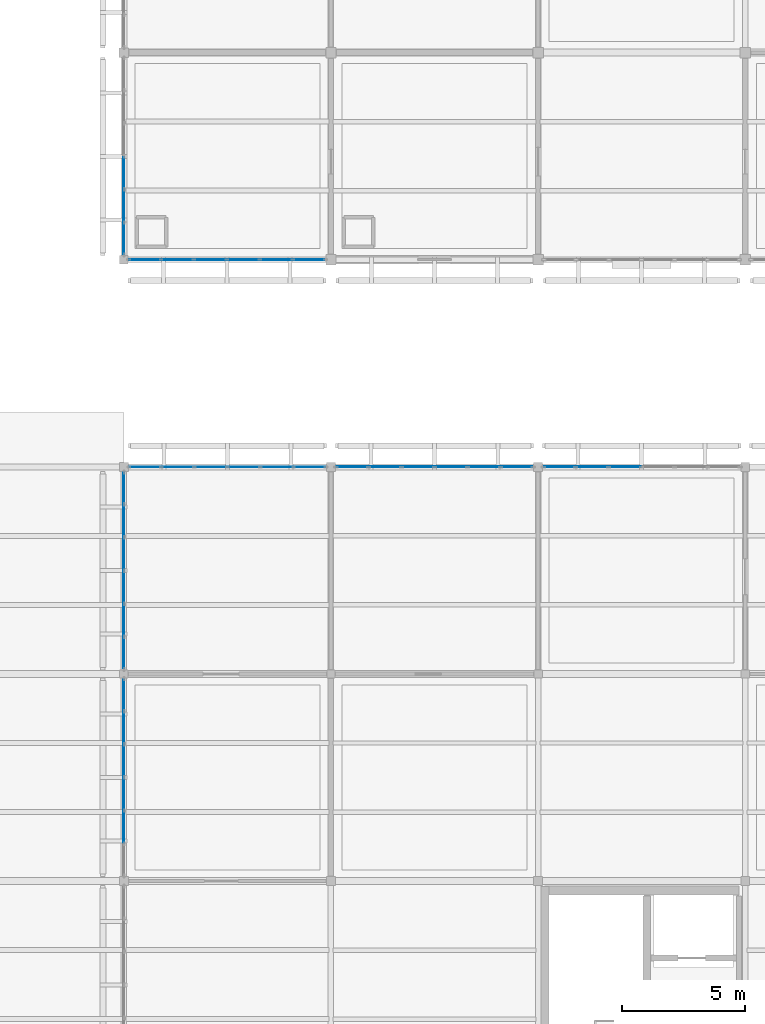
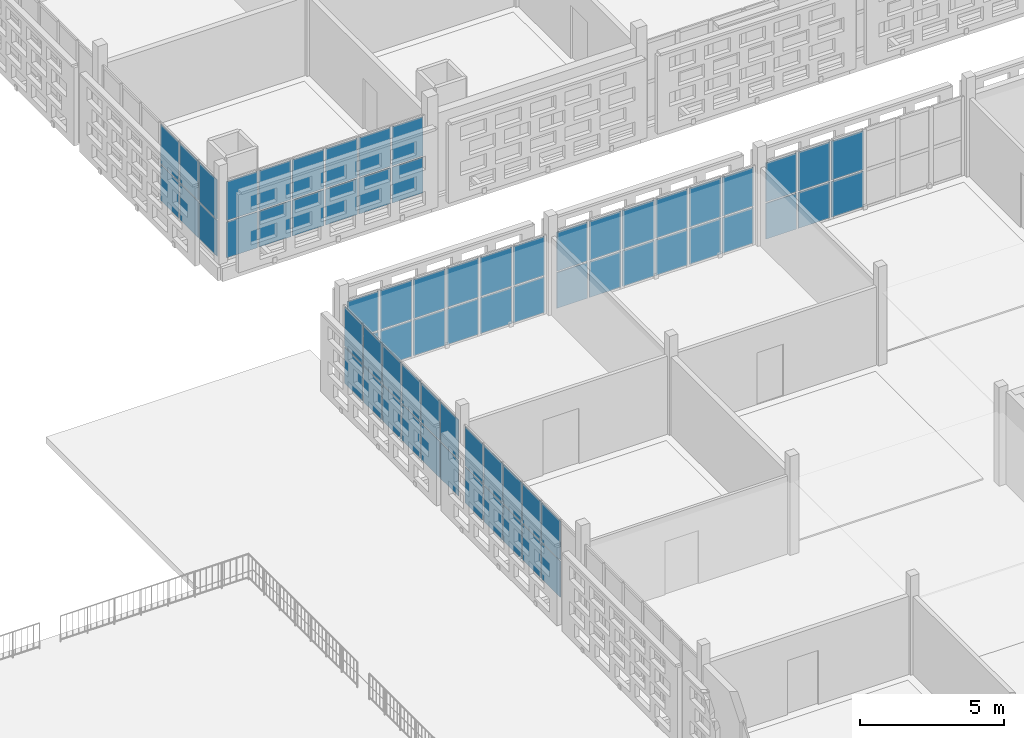
# One storey, part 90 of 166: 70 plates, 7 elements without a shape of their own.
"""IFC4 building model written with IfcOpenShell, lengths in metres."""

from ifc_helpers import new_model, si_unit, direction, frame, origin, origin_2d, place, context, subcontext, project, spatial, rectangle, extrude, material, layer, layer_set, type_object, element, aggregate, save


model = new_model("IFC4")

# Units and contexts
model_context = context("Model", 3, precision=1e-05, world=origin(), true_north=direction((0.0, 1.0)))
body_context = subcontext(model_context, "Body", "Model", "MODEL_VIEW")
ifc_project = project(units=[si_unit("LENGTHUNIT", "METRE"), si_unit("AREAUNIT", "SQUARE_METRE"), si_unit("VOLUMEUNIT", "CUBIC_METRE"), si_unit("PLANEANGLEUNIT", "RADIAN"), si_unit("MASSUNIT", "GRAM", prefix="KILO")], contexts=[model_context])

# Site, building, storey
site_placement = place(None, origin())
site = spatial("IfcSite", under=ifc_project, at=site_placement, CompositionType="ELEMENT")
building_placement = place(site_placement, origin())
building = spatial("IfcBuilding", under=site, at=building_placement, Name="Varnapada Polytechnic", CompositionType="ELEMENT")
storey_placement = place(building_placement, frame((0.0, 0.0, 9.60009765625)))
storey = spatial("IfcBuildingStorey", under=building, at=storey_placement, Name="L02", CompositionType="ELEMENT", Elevation=9.60009765625)

# Curtain wall, plates
ifc_material = material(Name="Double low-E laminated glass", Category="glass")
ifc_layer_1 = layer(ifc_material, 0.159912109375)
ifc_layer_set_1 = layer_set([ifc_layer_1], Name="Double low-E laminated glass")
curtain_wall_type_1 = type_object("IfcCurtainWallType", Name="Curtain Wall CW-01", PredefinedType="NOTDEFINED", material=ifc_layer_set_1)
curtain_wall_1_placement = place(storey_placement, origin())
curtain_wall_1 = element("IfcCurtainWall", 1, at=curtain_wall_1_placement, inside=storey, type_object=curtain_wall_type_1, Name="L02 unitised curtain wall CW-01 (185)", PredefinedType="NOTDEFINED")
ifc_layer_2 = layer(ifc_material, 0.028076171875)
ifc_layer_set_2 = layer_set([ifc_layer_2], Name="Double low-E laminated glass")
plate_type_1 = type_object("IfcPlateType", Name="Curtain Panel PNL-01", PredefinedType="CURTAIN_PANEL", material=ifc_layer_set_2)
plate_1_placement = place(storey_placement, frame((134.39990234375, 35.79248046875, 0.06005859375), z_axis=(0.0, 0.0, 1.0), x_axis=(0.0, 1.0, 0.0)))
plate_1 = element("IfcPlate", 2, at=plate_1_placement, type_object=plate_type_1, Name="CW-01 panel 2.1", PredefinedType="CURTAIN_PANEL", context=body_context, shape_type="SweptSolid", body=[
    extrude(rectangle(XDim=1.28173828125, YDim=0.028076171875, at=origin_2d()), origin(), (0.0, 0.0, 1.0), 1.522705078125),
])
plate_2_placement = place(storey_placement, frame((134.39990234375, 35.79248046875, 1.642578125), z_axis=(0.0, 0.0, 1.0), x_axis=(0.0, 1.0, 0.0)))
plate_2 = element("IfcPlate", 3, at=plate_2_placement, type_object=plate_type_1, Name="CW-01 panel 2.2", PredefinedType="CURTAIN_PANEL", context=body_context, shape_type="SweptSolid", body=[
    extrude(rectangle(XDim=1.28173828125, YDim=0.028076171875, at=origin_2d()), origin(), (0.0, 0.0, 1.0), 1.6572265625),
])
plate_3_placement = place(storey_placement, frame((134.39990234375, 37.13427734375, 0.06005859375), z_axis=(0.0, 0.0, 1.0), x_axis=(0.0, 1.0, 0.0)))
plate_3 = element("IfcPlate", 4, at=plate_3_placement, type_object=plate_type_1, Name="CW-01 panel 3.1", PredefinedType="CURTAIN_PANEL", context=body_context, shape_type="SweptSolid", body=[
    extrude(rectangle(XDim=1.28173828125, YDim=0.028076171875, at=origin_2d()), origin(), (0.0, 0.0, 1.0), 1.522705078125),
])
plate_4_placement = place(storey_placement, frame((134.39990234375, 37.13427734375, 1.642578125), z_axis=(0.0, 0.0, 1.0), x_axis=(0.0, 1.0, 0.0)))
plate_4 = element("IfcPlate", 5, at=plate_4_placement, type_object=plate_type_1, Name="CW-01 panel 3.2", PredefinedType="CURTAIN_PANEL", context=body_context, shape_type="SweptSolid", body=[
    extrude(rectangle(XDim=1.28173828125, YDim=0.028076171875, at=origin_2d()), origin(), (0.0, 0.0, 1.0), 1.6572265625),
])
plate_5_placement = place(storey_placement, frame((134.39990234375, 38.475830078125, 0.06005859375), z_axis=(0.0, 0.0, 1.0), x_axis=(0.0, 1.0, 0.0)))
plate_5 = element("IfcPlate", 6, at=plate_5_placement, type_object=plate_type_1, Name="CW-01 panel 4.1", PredefinedType="CURTAIN_PANEL", context=body_context, shape_type="SweptSolid", body=[
    extrude(rectangle(XDim=1.28173828125, YDim=0.028076171875, at=origin_2d()), origin(), (0.0, 0.0, 1.0), 1.522705078125),
])
plate_6_placement = place(storey_placement, frame((134.39990234375, 38.475830078125, 1.642578125), z_axis=(0.0, 0.0, 1.0), x_axis=(0.0, 1.0, 0.0)))
plate_6 = element("IfcPlate", 7, at=plate_6_placement, type_object=plate_type_1, Name="CW-01 panel 4.2", PredefinedType="CURTAIN_PANEL", context=body_context, shape_type="SweptSolid", body=[
    extrude(rectangle(XDim=1.28173828125, YDim=0.028076171875, at=origin_2d()), origin(), (0.0, 0.0, 1.0), 1.6572265625),
])
plate_7_placement = place(storey_placement, frame((134.39990234375, 39.8173828125, 0.06005859375), z_axis=(0.0, 0.0, 1.0), x_axis=(0.0, 1.0, 0.0)))
plate_7 = element("IfcPlate", 8, at=plate_7_placement, type_object=plate_type_1, Name="CW-01 panel 5.1", PredefinedType="CURTAIN_PANEL", context=body_context, shape_type="SweptSolid", body=[
    extrude(rectangle(XDim=1.28173828125, YDim=0.028076171875, at=origin_2d()), origin(), (0.0, 0.0, 1.0), 1.522705078125),
])
plate_8_placement = place(storey_placement, frame((134.39990234375, 39.8173828125, 1.642578125), z_axis=(0.0, 0.0, 1.0), x_axis=(0.0, 1.0, 0.0)))
plate_8 = element("IfcPlate", 9, at=plate_8_placement, type_object=plate_type_1, Name="CW-01 panel 5.2", PredefinedType="CURTAIN_PANEL", context=body_context, shape_type="SweptSolid", body=[
    extrude(rectangle(XDim=1.28173828125, YDim=0.028076171875, at=origin_2d()), origin(), (0.0, 0.0, 1.0), 1.6572265625),
])
plate_9_placement = place(storey_placement, frame((134.39990234375, 41.144287109375, 0.06005859375), z_axis=(0.0, 0.0, 1.0), x_axis=(0.0, 1.0, 0.0)))
plate_9 = element("IfcPlate", 10, at=plate_9_placement, type_object=plate_type_1, Name="CW-01 panel 6.1", PredefinedType="CURTAIN_PANEL", context=body_context, shape_type="SweptSolid", body=[
    extrude(rectangle(XDim=1.251708984375, YDim=0.028076171875, at=origin_2d()), origin(), (0.0, 0.0, 1.0), 1.522705078125),
])
plate_10_placement = place(storey_placement, frame((134.39990234375, 41.144287109375, 1.642578125), z_axis=(0.0, 0.0, 1.0), x_axis=(0.0, 1.0, 0.0)))
plate_10 = element("IfcPlate", 11, at=plate_10_placement, type_object=plate_type_1, Name="CW-01 panel 6.2", PredefinedType="CURTAIN_PANEL", context=body_context, shape_type="SweptSolid", body=[
    extrude(rectangle(XDim=1.251708984375, YDim=0.028076171875, at=origin_2d()), origin(), (0.0, 0.0, 1.0), 1.6572265625),
])
aggregate(curtain_wall_1, [plate_1, plate_2, plate_3, plate_4, plate_5, plate_6, plate_7, plate_8, plate_9, plate_10])

curtain_wall_2_placement = place(storey_placement, origin())
curtain_wall_2 = element("IfcCurtainWall", 12, at=curtain_wall_2_placement, inside=storey, type_object=curtain_wall_type_1, Name="L02 unitised curtain wall CW-01 (186)", PredefinedType="NOTDEFINED")
plate_11_placement = place(storey_placement, frame((135.264892578125, 50.39990234375, 0.06005859375), z_axis=(0.0, 0.0, 1.0), x_axis=(1.0, 0.0, 0.0)))
plate_11 = element("IfcPlate", 13, at=plate_11_placement, type_object=plate_type_1, Name="CW-01 panel 1.1", PredefinedType="CURTAIN_PANEL", context=body_context, shape_type="SweptSolid", body=[
    extrude(rectangle(XDim=1.25, YDim=0.028076171875, at=origin_2d()), origin(), (0.0, 0.0, 1.0), 1.522705078125),
])
plate_12_placement = place(storey_placement, frame((135.264892578125, 50.39990234375, 1.642578125), z_axis=(0.0, 0.0, 1.0), x_axis=(1.0, 0.0, 0.0)))
plate_12 = element("IfcPlate", 14, at=plate_12_placement, type_object=plate_type_1, Name="CW-01 panel 1.2", PredefinedType="CURTAIN_PANEL", context=body_context, shape_type="SweptSolid", body=[
    extrude(rectangle(XDim=1.25, YDim=0.028076171875, at=origin_2d()), origin(), (0.0, 0.0, 1.0), 1.6572265625),
])
plate_13_placement = place(storey_placement, frame((136.590087890625, 50.39990234375, 0.06005859375), z_axis=(0.0, 0.0, 1.0), x_axis=(1.0, 0.0, 0.0)))
plate_13 = element("IfcPlate", 15, at=plate_13_placement, type_object=plate_type_1, Name="CW-01 panel 2.1", PredefinedType="CURTAIN_PANEL", context=body_context, shape_type="SweptSolid", body=[
    extrude(rectangle(XDim=1.280029296875, YDim=0.028076171875, at=origin_2d()), origin(), (0.0, 0.0, 1.0), 1.522705078125),
])
plate_14_placement = place(storey_placement, frame((136.590087890625, 50.39990234375, 1.642578125), z_axis=(0.0, 0.0, 1.0), x_axis=(1.0, 0.0, 0.0)))
plate_14 = element("IfcPlate", 16, at=plate_14_placement, type_object=plate_type_1, Name="CW-01 panel 2.2", PredefinedType="CURTAIN_PANEL", context=body_context, shape_type="SweptSolid", body=[
    extrude(rectangle(XDim=1.280029296875, YDim=0.028076171875, at=origin_2d()), origin(), (0.0, 0.0, 1.0), 1.6572265625),
])
plate_15_placement = place(storey_placement, frame((137.929931640625, 50.39990234375, 0.06005859375), z_axis=(0.0, 0.0, 1.0), x_axis=(1.0, 0.0, 0.0)))
plate_15 = element("IfcPlate", 17, at=plate_15_placement, type_object=plate_type_1, Name="CW-01 panel 3.1", PredefinedType="CURTAIN_PANEL", context=body_context, shape_type="SweptSolid", body=[
    extrude(rectangle(XDim=1.280029296875, YDim=0.028076171875, at=origin_2d()), origin(), (0.0, 0.0, 1.0), 1.522705078125),
])
plate_16_placement = place(storey_placement, frame((137.929931640625, 50.39990234375, 1.642578125), z_axis=(0.0, 0.0, 1.0), x_axis=(1.0, 0.0, 0.0)))
plate_16 = element("IfcPlate", 18, at=plate_16_placement, type_object=plate_type_1, Name="CW-01 panel 3.2", PredefinedType="CURTAIN_PANEL", context=body_context, shape_type="SweptSolid", body=[
    extrude(rectangle(XDim=1.280029296875, YDim=0.028076171875, at=origin_2d()), origin(), (0.0, 0.0, 1.0), 1.6572265625),
])
plate_17_placement = place(storey_placement, frame((139.27001953125, 50.39990234375, 0.06005859375), z_axis=(0.0, 0.0, 1.0), x_axis=(1.0, 0.0, 0.0)))
plate_17 = element("IfcPlate", 19, at=plate_17_placement, type_object=plate_type_1, Name="CW-01 panel 4.1", PredefinedType="CURTAIN_PANEL", context=body_context, shape_type="SweptSolid", body=[
    extrude(rectangle(XDim=1.280029296875, YDim=0.028076171875, at=origin_2d()), origin(), (0.0, 0.0, 1.0), 1.522705078125),
])
plate_18_placement = place(storey_placement, frame((139.27001953125, 50.39990234375, 1.642578125), z_axis=(0.0, 0.0, 1.0), x_axis=(1.0, 0.0, 0.0)))
plate_18 = element("IfcPlate", 20, at=plate_18_placement, type_object=plate_type_1, Name="CW-01 panel 4.2", PredefinedType="CURTAIN_PANEL", context=body_context, shape_type="SweptSolid", body=[
    extrude(rectangle(XDim=1.280029296875, YDim=0.028076171875, at=origin_2d()), origin(), (0.0, 0.0, 1.0), 1.6572265625),
])
plate_19_placement = place(storey_placement, frame((140.610107421875, 50.39990234375, 0.06005859375), z_axis=(0.0, 0.0, 1.0), x_axis=(1.0, 0.0, 0.0)))
plate_19 = element("IfcPlate", 21, at=plate_19_placement, type_object=plate_type_1, Name="CW-01 panel 5.1", PredefinedType="CURTAIN_PANEL", context=body_context, shape_type="SweptSolid", body=[
    extrude(rectangle(XDim=1.280029296875, YDim=0.028076171875, at=origin_2d()), origin(), (0.0, 0.0, 1.0), 1.522705078125),
])
plate_20_placement = place(storey_placement, frame((140.610107421875, 50.39990234375, 1.642578125), z_axis=(0.0, 0.0, 1.0), x_axis=(1.0, 0.0, 0.0)))
plate_20 = element("IfcPlate", 22, at=plate_20_placement, type_object=plate_type_1, Name="CW-01 panel 5.2", PredefinedType="CURTAIN_PANEL", context=body_context, shape_type="SweptSolid", body=[
    extrude(rectangle(XDim=1.280029296875, YDim=0.028076171875, at=origin_2d()), origin(), (0.0, 0.0, 1.0), 1.6572265625),
])
plate_21_placement = place(storey_placement, frame((141.93505859375, 50.39990234375, 0.06005859375), z_axis=(0.0, 0.0, 1.0), x_axis=(1.0, 0.0, 0.0)))
plate_21 = element("IfcPlate", 23, at=plate_21_placement, type_object=plate_type_1, Name="CW-01 panel 6.1", PredefinedType="CURTAIN_PANEL", context=body_context, shape_type="SweptSolid", body=[
    extrude(rectangle(XDim=1.25, YDim=0.028076171875, at=origin_2d()), origin(), (0.0, 0.0, 1.0), 1.522705078125),
])
plate_22_placement = place(storey_placement, frame((141.93505859375, 50.39990234375, 1.642578125), z_axis=(0.0, 0.0, 1.0), x_axis=(1.0, 0.0, 0.0)))
plate_22 = element("IfcPlate", 24, at=plate_22_placement, type_object=plate_type_1, Name="CW-01 panel 6.2", PredefinedType="CURTAIN_PANEL", context=body_context, shape_type="SweptSolid", body=[
    extrude(rectangle(XDim=1.25, YDim=0.028076171875, at=origin_2d()), origin(), (0.0, 0.0, 1.0), 1.6572265625),
])
aggregate(curtain_wall_2, [plate_11, plate_12, plate_13, plate_14, plate_15, plate_16, plate_17, plate_18, plate_19, plate_20, plate_21, plate_22])

curtain_wall_3_placement = place(storey_placement, origin())
curtain_wall_3 = element("IfcCurtainWall", 25, at=curtain_wall_3_placement, inside=storey, type_object=curtain_wall_type_1, Name="L02 unitised curtain wall CW-01 (187)", PredefinedType="NOTDEFINED")
plate_23_placement = place(storey_placement, frame((134.39990234375, 42.855712890625, 0.06005859375), z_axis=(0.0, 0.0, 1.0), x_axis=(0.0, 1.0, 0.0)))
plate_23 = element("IfcPlate", 26, at=plate_23_placement, type_object=plate_type_1, Name="CW-01 panel 1.1", PredefinedType="CURTAIN_PANEL", context=body_context, shape_type="SweptSolid", body=[
    extrude(rectangle(XDim=1.251708984375, YDim=0.028076171875, at=origin_2d()), origin(), (0.0, 0.0, 1.0), 1.522705078125),
])
plate_24_placement = place(storey_placement, frame((134.39990234375, 42.855712890625, 1.642578125), z_axis=(0.0, 0.0, 1.0), x_axis=(0.0, 1.0, 0.0)))
plate_24 = element("IfcPlate", 27, at=plate_24_placement, type_object=plate_type_1, Name="CW-01 panel 1.2", PredefinedType="CURTAIN_PANEL", context=body_context, shape_type="SweptSolid", body=[
    extrude(rectangle(XDim=1.251708984375, YDim=0.028076171875, at=origin_2d()), origin(), (0.0, 0.0, 1.0), 1.6572265625),
])
plate_25_placement = place(storey_placement, frame((134.39990234375, 44.1826171875, 0.06005859375), z_axis=(0.0, 0.0, 1.0), x_axis=(0.0, 1.0, 0.0)))
plate_25 = element("IfcPlate", 28, at=plate_25_placement, type_object=plate_type_1, Name="CW-01 panel 2.1", PredefinedType="CURTAIN_PANEL", context=body_context, shape_type="SweptSolid", body=[
    extrude(rectangle(XDim=1.28173828125, YDim=0.028076171875, at=origin_2d()), origin(), (0.0, 0.0, 1.0), 1.522705078125),
])
plate_26_placement = place(storey_placement, frame((134.39990234375, 44.1826171875, 1.642578125), z_axis=(0.0, 0.0, 1.0), x_axis=(0.0, 1.0, 0.0)))
plate_26 = element("IfcPlate", 29, at=plate_26_placement, type_object=plate_type_1, Name="CW-01 panel 2.2", PredefinedType="CURTAIN_PANEL", context=body_context, shape_type="SweptSolid", body=[
    extrude(rectangle(XDim=1.28173828125, YDim=0.028076171875, at=origin_2d()), origin(), (0.0, 0.0, 1.0), 1.6572265625),
])
plate_27_placement = place(storey_placement, frame((134.39990234375, 45.524169921875, 0.06005859375), z_axis=(0.0, 0.0, 1.0), x_axis=(0.0, 1.0, 0.0)))
plate_27 = element("IfcPlate", 30, at=plate_27_placement, type_object=plate_type_1, Name="CW-01 panel 3.1", PredefinedType="CURTAIN_PANEL", context=body_context, shape_type="SweptSolid", body=[
    extrude(rectangle(XDim=1.28173828125, YDim=0.028076171875, at=origin_2d()), origin(), (0.0, 0.0, 1.0), 1.522705078125),
])
plate_28_placement = place(storey_placement, frame((134.39990234375, 45.524169921875, 1.642578125), z_axis=(0.0, 0.0, 1.0), x_axis=(0.0, 1.0, 0.0)))
plate_28 = element("IfcPlate", 31, at=plate_28_placement, type_object=plate_type_1, Name="CW-01 panel 3.2", PredefinedType="CURTAIN_PANEL", context=body_context, shape_type="SweptSolid", body=[
    extrude(rectangle(XDim=1.28173828125, YDim=0.028076171875, at=origin_2d()), origin(), (0.0, 0.0, 1.0), 1.6572265625),
])
plate_29_placement = place(storey_placement, frame((134.39990234375, 46.86572265625, 0.06005859375), z_axis=(0.0, 0.0, 1.0), x_axis=(0.0, 1.0, 0.0)))
plate_29 = element("IfcPlate", 32, at=plate_29_placement, type_object=plate_type_1, Name="CW-01 panel 4.1", PredefinedType="CURTAIN_PANEL", context=body_context, shape_type="SweptSolid", body=[
    extrude(rectangle(XDim=1.28173828125, YDim=0.028076171875, at=origin_2d()), origin(), (0.0, 0.0, 1.0), 1.522705078125),
])
plate_30_placement = place(storey_placement, frame((134.39990234375, 46.86572265625, 1.642578125), z_axis=(0.0, 0.0, 1.0), x_axis=(0.0, 1.0, 0.0)))
plate_30 = element("IfcPlate", 33, at=plate_30_placement, type_object=plate_type_1, Name="CW-01 panel 4.2", PredefinedType="CURTAIN_PANEL", context=body_context, shape_type="SweptSolid", body=[
    extrude(rectangle(XDim=1.28173828125, YDim=0.028076171875, at=origin_2d()), origin(), (0.0, 0.0, 1.0), 1.6572265625),
])
plate_31_placement = place(storey_placement, frame((134.39990234375, 48.20751953125, 0.06005859375), z_axis=(0.0, 0.0, 1.0), x_axis=(0.0, 1.0, 0.0)))
plate_31 = element("IfcPlate", 34, at=plate_31_placement, type_object=plate_type_1, Name="CW-01 panel 5.1", PredefinedType="CURTAIN_PANEL", context=body_context, shape_type="SweptSolid", body=[
    extrude(rectangle(XDim=1.28173828125, YDim=0.028076171875, at=origin_2d()), origin(), (0.0, 0.0, 1.0), 1.522705078125),
])
plate_32_placement = place(storey_placement, frame((134.39990234375, 48.20751953125, 1.642578125), z_axis=(0.0, 0.0, 1.0), x_axis=(0.0, 1.0, 0.0)))
plate_32 = element("IfcPlate", 35, at=plate_32_placement, type_object=plate_type_1, Name="CW-01 panel 5.2", PredefinedType="CURTAIN_PANEL", context=body_context, shape_type="SweptSolid", body=[
    extrude(rectangle(XDim=1.28173828125, YDim=0.028076171875, at=origin_2d()), origin(), (0.0, 0.0, 1.0), 1.6572265625),
])
plate_33_placement = place(storey_placement, frame((134.39990234375, 49.5341796875, 0.06005859375), z_axis=(0.0, 0.0, 1.0), x_axis=(0.0, 1.0, 0.0)))
plate_33 = element("IfcPlate", 36, at=plate_33_placement, type_object=plate_type_1, Name="CW-01 panel 6.1", PredefinedType="CURTAIN_PANEL", context=body_context, shape_type="SweptSolid", body=[
    extrude(rectangle(XDim=1.251708984375, YDim=0.028076171875, at=origin_2d()), origin(), (0.0, 0.0, 1.0), 1.522705078125),
])
plate_34_placement = place(storey_placement, frame((134.39990234375, 49.5341796875, 1.642578125), z_axis=(0.0, 0.0, 1.0), x_axis=(0.0, 1.0, 0.0)))
plate_34 = element("IfcPlate", 37, at=plate_34_placement, type_object=plate_type_1, Name="CW-01 panel 6.2", PredefinedType="CURTAIN_PANEL", context=body_context, shape_type="SweptSolid", body=[
    extrude(rectangle(XDim=1.251708984375, YDim=0.028076171875, at=origin_2d()), origin(), (0.0, 0.0, 1.0), 1.6572265625),
])
aggregate(curtain_wall_3, [plate_23, plate_24, plate_25, plate_26, plate_27, plate_28, plate_29, plate_30, plate_31, plate_32, plate_33, plate_34])

curtain_wall_4_placement = place(storey_placement, origin())
curtain_wall_4 = element("IfcCurtainWall", 38, at=curtain_wall_4_placement, inside=storey, type_object=curtain_wall_type_1, Name="L02 unitised curtain wall CW-01 (188)", PredefinedType="NOTDEFINED")
plate_35_placement = place(storey_placement, frame((141.90673828125, 58.800048828125, 0.06005859375), z_axis=(0.0, 0.0, 1.0), x_axis=(-1.0, 0.0, 0.0)))
plate_35 = element("IfcPlate", 39, at=plate_35_placement, type_object=plate_type_1, Name="CW-01 panel 1.1", PredefinedType="CURTAIN_PANEL", context=body_context, shape_type="SweptSolid", body=[
    extrude(rectangle(XDim=1.24658203125, YDim=0.028076171875, at=origin_2d()), origin(), (0.0, 0.0, 1.0), 1.522705078125),
])
plate_36_placement = place(storey_placement, frame((141.90673828125, 58.800048828125, 1.642578125), z_axis=(0.0, 0.0, 1.0), x_axis=(-1.0, 0.0, 0.0)))
plate_36 = element("IfcPlate", 40, at=plate_36_placement, type_object=plate_type_1, Name="CW-01 panel 1.2", PredefinedType="CURTAIN_PANEL", context=body_context, shape_type="SweptSolid", body=[
    extrude(rectangle(XDim=1.24658203125, YDim=0.028076171875, at=origin_2d()), origin(), (0.0, 0.0, 1.0), 1.6572265625),
])
plate_37_placement = place(storey_placement, frame((140.5849609375, 58.800048828125, 0.06005859375), z_axis=(0.0, 0.0, 1.0), x_axis=(-1.0, 0.0, 0.0)))
plate_37 = element("IfcPlate", 41, at=plate_37_placement, type_object=plate_type_1, Name="CW-01 panel 2.1", PredefinedType="CURTAIN_PANEL", context=body_context, shape_type="SweptSolid", body=[
    extrude(rectangle(XDim=1.276611328125, YDim=0.028076171875, at=origin_2d()), origin(), (0.0, 0.0, 1.0), 1.522705078125),
])
plate_38_placement = place(storey_placement, frame((140.5849609375, 58.800048828125, 1.642578125), z_axis=(0.0, 0.0, 1.0), x_axis=(-1.0, 0.0, 0.0)))
plate_38 = element("IfcPlate", 42, at=plate_38_placement, type_object=plate_type_1, Name="CW-01 panel 2.2", PredefinedType="CURTAIN_PANEL", context=body_context, shape_type="SweptSolid", body=[
    extrude(rectangle(XDim=1.276611328125, YDim=0.028076171875, at=origin_2d()), origin(), (0.0, 0.0, 1.0), 1.6572265625),
])
plate_39_placement = place(storey_placement, frame((139.248291015625, 58.800048828125, 0.06005859375), z_axis=(0.0, 0.0, 1.0), x_axis=(-1.0, 0.0, 0.0)))
plate_39 = element("IfcPlate", 43, at=plate_39_placement, type_object=plate_type_1, Name="CW-01 panel 3.1", PredefinedType="CURTAIN_PANEL", context=body_context, shape_type="SweptSolid", body=[
    extrude(rectangle(XDim=1.276611328125, YDim=0.028076171875, at=origin_2d()), origin(), (0.0, 0.0, 1.0), 1.522705078125),
])
plate_40_placement = place(storey_placement, frame((139.248291015625, 58.800048828125, 1.642578125), z_axis=(0.0, 0.0, 1.0), x_axis=(-1.0, 0.0, 0.0)))
plate_40 = element("IfcPlate", 44, at=plate_40_placement, type_object=plate_type_1, Name="CW-01 panel 3.2", PredefinedType="CURTAIN_PANEL", context=body_context, shape_type="SweptSolid", body=[
    extrude(rectangle(XDim=1.276611328125, YDim=0.028076171875, at=origin_2d()), origin(), (0.0, 0.0, 1.0), 1.6572265625),
])
plate_41_placement = place(storey_placement, frame((137.91162109375, 58.800048828125, 0.06005859375), z_axis=(0.0, 0.0, 1.0), x_axis=(-1.0, 0.0, 0.0)))
plate_41 = element("IfcPlate", 45, at=plate_41_placement, type_object=plate_type_1, Name="CW-01 panel 4.1", PredefinedType="CURTAIN_PANEL", context=body_context, shape_type="SweptSolid", body=[
    extrude(rectangle(XDim=1.276611328125, YDim=0.028076171875, at=origin_2d()), origin(), (0.0, 0.0, 1.0), 1.522705078125),
])
plate_42_placement = place(storey_placement, frame((137.91162109375, 58.800048828125, 1.642578125), z_axis=(0.0, 0.0, 1.0), x_axis=(-1.0, 0.0, 0.0)))
plate_42 = element("IfcPlate", 46, at=plate_42_placement, type_object=plate_type_1, Name="CW-01 panel 4.2", PredefinedType="CURTAIN_PANEL", context=body_context, shape_type="SweptSolid", body=[
    extrude(rectangle(XDim=1.276611328125, YDim=0.028076171875, at=origin_2d()), origin(), (0.0, 0.0, 1.0), 1.6572265625),
])
plate_43_placement = place(storey_placement, frame((136.574951171875, 58.800048828125, 0.06005859375), z_axis=(0.0, 0.0, 1.0), x_axis=(-1.0, 0.0, 0.0)))
plate_43 = element("IfcPlate", 47, at=plate_43_placement, type_object=plate_type_1, Name="CW-01 panel 5.1", PredefinedType="CURTAIN_PANEL", context=body_context, shape_type="SweptSolid", body=[
    extrude(rectangle(XDim=1.276611328125, YDim=0.028076171875, at=origin_2d()), origin(), (0.0, 0.0, 1.0), 1.522705078125),
])
plate_44_placement = place(storey_placement, frame((136.574951171875, 58.800048828125, 1.642578125), z_axis=(0.0, 0.0, 1.0), x_axis=(-1.0, 0.0, 0.0)))
plate_44 = element("IfcPlate", 48, at=plate_44_placement, type_object=plate_type_1, Name="CW-01 panel 5.2", PredefinedType="CURTAIN_PANEL", context=body_context, shape_type="SweptSolid", body=[
    extrude(rectangle(XDim=1.276611328125, YDim=0.028076171875, at=origin_2d()), origin(), (0.0, 0.0, 1.0), 1.6572265625),
])
plate_45_placement = place(storey_placement, frame((135.25341796875, 58.800048828125, 0.06005859375), z_axis=(0.0, 0.0, 1.0), x_axis=(-1.0, 0.0, 0.0)))
plate_45 = element("IfcPlate", 49, at=plate_45_placement, type_object=plate_type_1, Name="CW-01 panel 6.1", PredefinedType="CURTAIN_PANEL", context=body_context, shape_type="SweptSolid", body=[
    extrude(rectangle(XDim=1.24658203125, YDim=0.028076171875, at=origin_2d()), origin(), (0.0, 0.0, 1.0), 1.522705078125),
])
plate_46_placement = place(storey_placement, frame((135.25341796875, 58.800048828125, 1.642578125), z_axis=(0.0, 0.0, 1.0), x_axis=(-1.0, 0.0, 0.0)))
plate_46 = element("IfcPlate", 50, at=plate_46_placement, type_object=plate_type_1, Name="CW-01 panel 6.2", PredefinedType="CURTAIN_PANEL", context=body_context, shape_type="SweptSolid", body=[
    extrude(rectangle(XDim=1.24658203125, YDim=0.028076171875, at=origin_2d()), origin(), (0.0, 0.0, 1.0), 1.6572265625),
])
aggregate(curtain_wall_4, [plate_35, plate_36, plate_37, plate_38, plate_39, plate_40, plate_41, plate_42, plate_43, plate_44, plate_45, plate_46])

curtain_wall_5_placement = place(storey_placement, origin())
curtain_wall_5 = element("IfcCurtainWall", 51, at=curtain_wall_5_placement, inside=storey, type_object=curtain_wall_type_1, Name="L02 unitised curtain wall CW-01 (189)", PredefinedType="NOTDEFINED")
plate_47_placement = place(storey_placement, frame((134.39990234375, 59.655029296875, 0.06005859375), z_axis=(0.0, 0.0, 1.0), x_axis=(0.0, 1.0, 0.0)))
plate_47 = element("IfcPlate", 52, at=plate_47_placement, type_object=plate_type_1, Name="CW-01 panel 1.1", PredefinedType="CURTAIN_PANEL", context=body_context, shape_type="SweptSolid", body=[
    extrude(rectangle(XDim=1.25, YDim=0.028076171875, at=origin_2d()), origin(), (0.0, 0.0, 1.0), 1.522705078125),
])
plate_48_placement = place(storey_placement, frame((134.39990234375, 59.655029296875, 1.642578125), z_axis=(0.0, 0.0, 1.0), x_axis=(0.0, 1.0, 0.0)))
plate_48 = element("IfcPlate", 53, at=plate_48_placement, type_object=plate_type_1, Name="CW-01 panel 1.2", PredefinedType="CURTAIN_PANEL", context=body_context, shape_type="SweptSolid", body=[
    extrude(rectangle(XDim=1.25, YDim=0.028076171875, at=origin_2d()), origin(), (0.0, 0.0, 1.0), 1.6572265625),
])
plate_49_placement = place(storey_placement, frame((134.39990234375, 60.97998046875, 0.06005859375), z_axis=(0.0, 0.0, 1.0), x_axis=(0.0, 1.0, 0.0)))
plate_49 = element("IfcPlate", 54, at=plate_49_placement, type_object=plate_type_1, Name="CW-01 panel 2.1", PredefinedType="CURTAIN_PANEL", context=body_context, shape_type="SweptSolid", body=[
    extrude(rectangle(XDim=1.280029296875, YDim=0.028076171875, at=origin_2d()), origin(), (0.0, 0.0, 1.0), 1.522705078125),
])
plate_50_placement = place(storey_placement, frame((134.39990234375, 60.97998046875, 1.642578125), z_axis=(0.0, 0.0, 1.0), x_axis=(0.0, 1.0, 0.0)))
plate_50 = element("IfcPlate", 55, at=plate_50_placement, type_object=plate_type_1, Name="CW-01 panel 2.2", PredefinedType="CURTAIN_PANEL", context=body_context, shape_type="SweptSolid", body=[
    extrude(rectangle(XDim=1.280029296875, YDim=0.028076171875, at=origin_2d()), origin(), (0.0, 0.0, 1.0), 1.6572265625),
])
plate_51_placement = place(storey_placement, frame((134.39990234375, 62.320068359375, 0.06005859375), z_axis=(0.0, 0.0, 1.0), x_axis=(0.0, 1.0, 0.0)))
plate_51 = element("IfcPlate", 56, at=plate_51_placement, type_object=plate_type_1, Name="CW-01 panel 3.1", PredefinedType="CURTAIN_PANEL", context=body_context, shape_type="SweptSolid", body=[
    extrude(rectangle(XDim=1.280029296875, YDim=0.028076171875, at=origin_2d()), origin(), (0.0, 0.0, 1.0), 1.522705078125),
])
plate_52_placement = place(storey_placement, frame((134.39990234375, 62.320068359375, 1.642578125), z_axis=(0.0, 0.0, 1.0), x_axis=(0.0, 1.0, 0.0)))
plate_52 = element("IfcPlate", 57, at=plate_52_placement, type_object=plate_type_1, Name="CW-01 panel 3.2", PredefinedType="CURTAIN_PANEL", context=body_context, shape_type="SweptSolid", body=[
    extrude(rectangle(XDim=1.280029296875, YDim=0.028076171875, at=origin_2d()), origin(), (0.0, 0.0, 1.0), 1.6572265625),
])
aggregate(curtain_wall_5, [plate_47, plate_48, plate_49, plate_50, plate_51, plate_52])

ifc_layer_3 = layer(ifc_material, 0.179931640625)
ifc_layer_set_3 = layer_set([ifc_layer_3], Name="Double low-E laminated glass")
curtain_wall_type_2 = type_object("IfcCurtainWallType", Name="Curtain Wall CW-04", PredefinedType="NOTDEFINED", material=ifc_layer_set_3)
curtain_wall_6_placement = place(storey_placement, origin())
curtain_wall_6 = element("IfcCurtainWall", 58, at=curtain_wall_6_placement, inside=storey, type_object=curtain_wall_type_2, Name="L02 unitised curtain wall CW-04 (193)", PredefinedType="NOTDEFINED")
ifc_layer_4 = layer(ifc_material, 0.031982421875)
ifc_layer_set_4 = layer_set([ifc_layer_4], Name="Double low-E laminated glass")
plate_type_2 = type_object("IfcPlateType", Name="Curtain Panel PNL-02", PredefinedType="CURTAIN_PANEL", material=ifc_layer_set_4)
plate_53_placement = place(storey_placement, frame((143.666259765625, 50.39990234375, 0.06494140625), z_axis=(0.0, 0.0, 1.0), x_axis=(1.0, 0.0, 0.0)))
plate_53 = element("IfcPlate", 59, at=plate_53_placement, type_object=plate_type_2, Name="CW-04 panel 1.1", PredefinedType="CURTAIN_PANEL", context=body_context, shape_type="SweptSolid", body=[
    extrude(rectangle(XDim=1.242431640625, YDim=0.031982421875, at=origin_2d()), origin(), (0.0, 0.0, 1.0), 1.515380859375),
])
plate_54_placement = place(storey_placement, frame((143.666259765625, 50.39990234375, 1.64501953125), z_axis=(0.0, 0.0, 1.0), x_axis=(1.0, 0.0, 0.0)))
plate_54 = element("IfcPlate", 60, at=plate_54_placement, type_object=plate_type_2, Name="CW-04 panel 1.2", PredefinedType="CURTAIN_PANEL", context=body_context, shape_type="SweptSolid", body=[
    extrude(rectangle(XDim=1.242431640625, YDim=0.031982421875, at=origin_2d()), origin(), (0.0, 0.0, 1.0), 1.649658203125),
])
plate_55_placement = place(storey_placement, frame((144.989990234375, 50.39990234375, 0.06494140625), z_axis=(0.0, 0.0, 1.0), x_axis=(1.0, 0.0, 0.0)))
plate_55 = element("IfcPlate", 61, at=plate_55_placement, type_object=plate_type_2, Name="CW-04 panel 2.1", PredefinedType="CURTAIN_PANEL", context=body_context, shape_type="SweptSolid", body=[
    extrude(rectangle(XDim=1.27490234375, YDim=0.031982421875, at=origin_2d()), origin(), (0.0, 0.0, 1.0), 1.515380859375),
])
plate_56_placement = place(storey_placement, frame((144.989990234375, 50.39990234375, 1.64501953125), z_axis=(0.0, 0.0, 1.0), x_axis=(1.0, 0.0, 0.0)))
plate_56 = element("IfcPlate", 62, at=plate_56_placement, type_object=plate_type_2, Name="CW-04 panel 2.2", PredefinedType="CURTAIN_PANEL", context=body_context, shape_type="SweptSolid", body=[
    extrude(rectangle(XDim=1.27490234375, YDim=0.031982421875, at=origin_2d()), origin(), (0.0, 0.0, 1.0), 1.649658203125),
])
plate_57_placement = place(storey_placement, frame((146.330078125, 50.39990234375, 0.06494140625), z_axis=(0.0, 0.0, 1.0), x_axis=(1.0, 0.0, 0.0)))
plate_57 = element("IfcPlate", 63, at=plate_57_placement, type_object=plate_type_2, Name="CW-04 panel 3.1", PredefinedType="CURTAIN_PANEL", context=body_context, shape_type="SweptSolid", body=[
    extrude(rectangle(XDim=1.27490234375, YDim=0.031982421875, at=origin_2d()), origin(), (0.0, 0.0, 1.0), 1.515380859375),
])
plate_58_placement = place(storey_placement, frame((146.330078125, 50.39990234375, 1.64501953125), z_axis=(0.0, 0.0, 1.0), x_axis=(1.0, 0.0, 0.0)))
plate_58 = element("IfcPlate", 64, at=plate_58_placement, type_object=plate_type_2, Name="CW-04 panel 3.2", PredefinedType="CURTAIN_PANEL", context=body_context, shape_type="SweptSolid", body=[
    extrude(rectangle(XDim=1.27490234375, YDim=0.031982421875, at=origin_2d()), origin(), (0.0, 0.0, 1.0), 1.649658203125),
])
plate_59_placement = place(storey_placement, frame((147.669921875, 50.39990234375, 0.06494140625), z_axis=(0.0, 0.0, 1.0), x_axis=(1.0, 0.0, 0.0)))
plate_59 = element("IfcPlate", 65, at=plate_59_placement, type_object=plate_type_2, Name="CW-04 panel 4.1", PredefinedType="CURTAIN_PANEL", context=body_context, shape_type="SweptSolid", body=[
    extrude(rectangle(XDim=1.27490234375, YDim=0.031982421875, at=origin_2d()), origin(), (0.0, 0.0, 1.0), 1.515380859375),
])
plate_60_placement = place(storey_placement, frame((147.669921875, 50.39990234375, 1.64501953125), z_axis=(0.0, 0.0, 1.0), x_axis=(1.0, 0.0, 0.0)))
plate_60 = element("IfcPlate", 66, at=plate_60_placement, type_object=plate_type_2, Name="CW-04 panel 4.2", PredefinedType="CURTAIN_PANEL", context=body_context, shape_type="SweptSolid", body=[
    extrude(rectangle(XDim=1.27490234375, YDim=0.031982421875, at=origin_2d()), origin(), (0.0, 0.0, 1.0), 1.649658203125),
])
plate_61_placement = place(storey_placement, frame((149.010009765625, 50.39990234375, 0.06494140625), z_axis=(0.0, 0.0, 1.0), x_axis=(1.0, 0.0, 0.0)))
plate_61 = element("IfcPlate", 67, at=plate_61_placement, type_object=plate_type_2, Name="CW-04 panel 5.1", PredefinedType="CURTAIN_PANEL", context=body_context, shape_type="SweptSolid", body=[
    extrude(rectangle(XDim=1.27490234375, YDim=0.031982421875, at=origin_2d()), origin(), (0.0, 0.0, 1.0), 1.515380859375),
])
plate_62_placement = place(storey_placement, frame((149.010009765625, 50.39990234375, 1.64501953125), z_axis=(0.0, 0.0, 1.0), x_axis=(1.0, 0.0, 0.0)))
plate_62 = element("IfcPlate", 68, at=plate_62_placement, type_object=plate_type_2, Name="CW-04 panel 5.2", PredefinedType="CURTAIN_PANEL", context=body_context, shape_type="SweptSolid", body=[
    extrude(rectangle(XDim=1.27490234375, YDim=0.031982421875, at=origin_2d()), origin(), (0.0, 0.0, 1.0), 1.649658203125),
])
plate_63_placement = place(storey_placement, frame((150.333740234375, 50.39990234375, 0.06494140625), z_axis=(0.0, 0.0, 1.0), x_axis=(1.0, 0.0, 0.0)))
plate_63 = element("IfcPlate", 69, at=plate_63_placement, type_object=plate_type_2, Name="CW-04 panel 6.1", PredefinedType="CURTAIN_PANEL", context=body_context, shape_type="SweptSolid", body=[
    extrude(rectangle(XDim=1.242431640625, YDim=0.031982421875, at=origin_2d()), origin(), (0.0, 0.0, 1.0), 1.515380859375),
])
plate_64_placement = place(storey_placement, frame((150.333740234375, 50.39990234375, 1.64501953125), z_axis=(0.0, 0.0, 1.0), x_axis=(1.0, 0.0, 0.0)))
plate_64 = element("IfcPlate", 70, at=plate_64_placement, type_object=plate_type_2, Name="CW-04 panel 6.2", PredefinedType="CURTAIN_PANEL", context=body_context, shape_type="SweptSolid", body=[
    extrude(rectangle(XDim=1.242431640625, YDim=0.031982421875, at=origin_2d()), origin(), (0.0, 0.0, 1.0), 1.649658203125),
])
aggregate(curtain_wall_6, [plate_53, plate_54, plate_55, plate_56, plate_57, plate_58, plate_59, plate_60, plate_61, plate_62, plate_63, plate_64])

curtain_wall_7_placement = place(storey_placement, origin())
curtain_wall_7 = element("IfcCurtainWall", 71, at=curtain_wall_7_placement, inside=storey, type_object=curtain_wall_type_2, Name="L02 unitised curtain wall CW-04 (195)", PredefinedType="NOTDEFINED")
plate_65_placement = place(storey_placement, frame((152.066162109375, 50.39990234375, 0.06494140625), z_axis=(0.0, 0.0, 1.0), x_axis=(1.0, 0.0, 0.0)))
plate_65 = element("IfcPlate", 72, at=plate_65_placement, type_object=plate_type_2, Name="CW-04 panel 1.1", PredefinedType="CURTAIN_PANEL", context=body_context, shape_type="SweptSolid", body=[
    extrude(rectangle(XDim=1.242431640625, YDim=0.031982421875, at=origin_2d()), origin(), (0.0, 0.0, 1.0), 1.515380859375),
])
plate_66_placement = place(storey_placement, frame((152.066162109375, 50.39990234375, 1.64501953125), z_axis=(0.0, 0.0, 1.0), x_axis=(1.0, 0.0, 0.0)))
plate_66 = element("IfcPlate", 73, at=plate_66_placement, type_object=plate_type_2, Name="CW-04 panel 1.2", PredefinedType="CURTAIN_PANEL", context=body_context, shape_type="SweptSolid", body=[
    extrude(rectangle(XDim=1.242431640625, YDim=0.031982421875, at=origin_2d()), origin(), (0.0, 0.0, 1.0), 1.649658203125),
])
plate_67_placement = place(storey_placement, frame((153.389892578125, 50.39990234375, 0.06494140625), z_axis=(0.0, 0.0, 1.0), x_axis=(1.0, 0.0, 0.0)))
plate_67 = element("IfcPlate", 74, at=plate_67_placement, type_object=plate_type_2, Name="CW-04 panel 2.1", PredefinedType="CURTAIN_PANEL", context=body_context, shape_type="SweptSolid", body=[
    extrude(rectangle(XDim=1.27490234375, YDim=0.031982421875, at=origin_2d()), origin(), (0.0, 0.0, 1.0), 1.515380859375),
])
plate_68_placement = place(storey_placement, frame((153.389892578125, 50.39990234375, 1.64501953125), z_axis=(0.0, 0.0, 1.0), x_axis=(1.0, 0.0, 0.0)))
plate_68 = element("IfcPlate", 75, at=plate_68_placement, type_object=plate_type_2, Name="CW-04 panel 2.2", PredefinedType="CURTAIN_PANEL", context=body_context, shape_type="SweptSolid", body=[
    extrude(rectangle(XDim=1.27490234375, YDim=0.031982421875, at=origin_2d()), origin(), (0.0, 0.0, 1.0), 1.649658203125),
])
plate_69_placement = place(storey_placement, frame((154.72998046875, 50.39990234375, 0.06494140625), z_axis=(0.0, 0.0, 1.0), x_axis=(1.0, 0.0, 0.0)))
plate_69 = element("IfcPlate", 76, at=plate_69_placement, type_object=plate_type_2, Name="CW-04 panel 3.1", PredefinedType="CURTAIN_PANEL", context=body_context, shape_type="SweptSolid", body=[
    extrude(rectangle(XDim=1.27490234375, YDim=0.031982421875, at=origin_2d()), origin(), (0.0, 0.0, 1.0), 1.515380859375),
])
plate_70_placement = place(storey_placement, frame((154.72998046875, 50.39990234375, 1.64501953125), z_axis=(0.0, 0.0, 1.0), x_axis=(1.0, 0.0, 0.0)))
plate_70 = element("IfcPlate", 77, at=plate_70_placement, type_object=plate_type_2, Name="CW-04 panel 3.2", PredefinedType="CURTAIN_PANEL", context=body_context, shape_type="SweptSolid", body=[
    extrude(rectangle(XDim=1.27490234375, YDim=0.031982421875, at=origin_2d()), origin(), (0.0, 0.0, 1.0), 1.649658203125),
])
aggregate(curtain_wall_7, [plate_65, plate_66, plate_67, plate_68, plate_69, plate_70])

save(model, "model.ifc")
